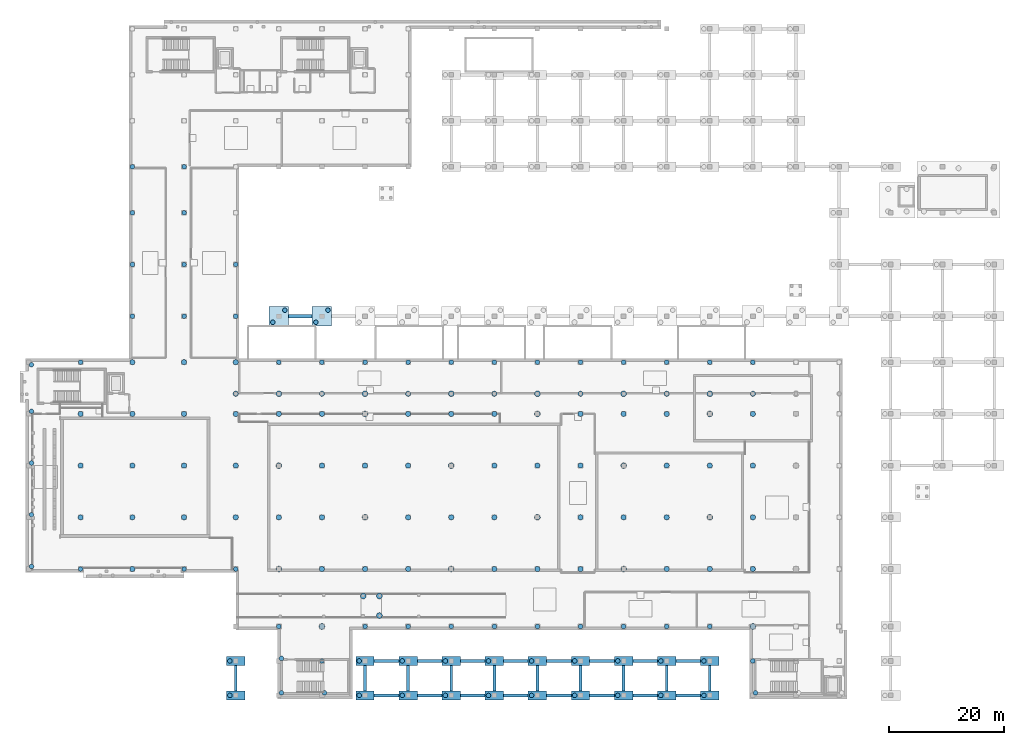
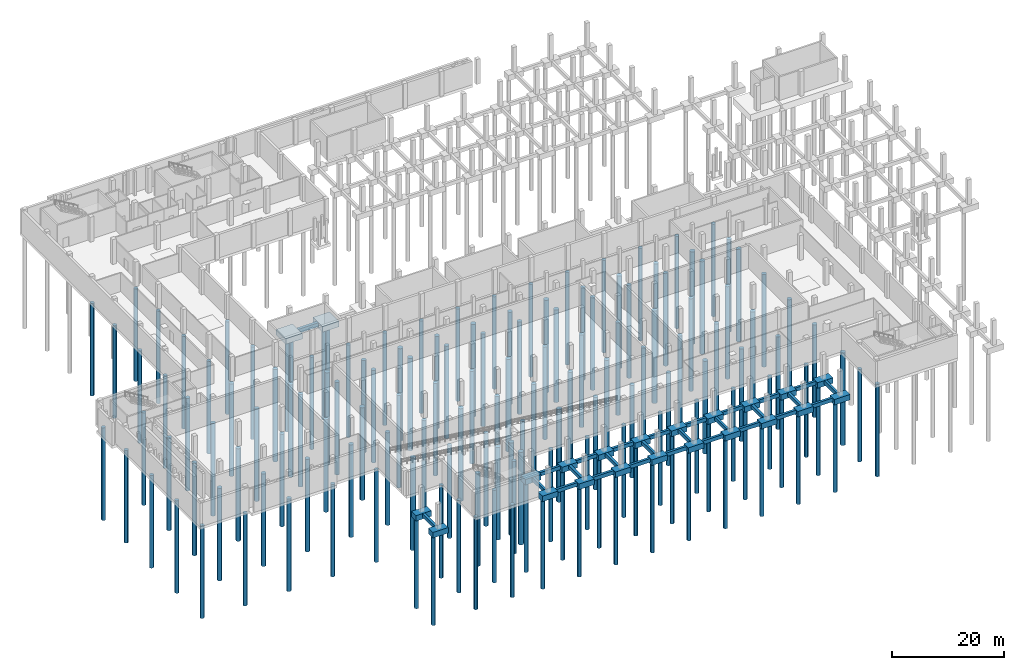
# One storey, part 1 of 19: 153 piles, 49 footings.
"""IFC4 building model written with IfcOpenShell, lengths in metres."""

from ifc_helpers import new_model, si_unit, direction, frame, origin, origin_2d, place, context, subcontext, project, spatial, rectangle, circle, extrude, material, material_profile, profile_set, type_object, element, save


model = new_model("IFC4")

# Units and contexts
model_context = context("Model", 3, precision=1e-05, world=origin(), true_north=direction((0.0, 1.0)))
body_context = subcontext(model_context, "Body", "Model", "MODEL_VIEW")
ifc_project = project(units=[si_unit("LENGTHUNIT", "METRE"), si_unit("AREAUNIT", "SQUARE_METRE"), si_unit("VOLUMEUNIT", "CUBIC_METRE"), si_unit("PLANEANGLEUNIT", "RADIAN"), si_unit("MASSUNIT", "GRAM", prefix="KILO")], contexts=[model_context])

# Site, building, storey
site_placement = place(None, origin())
site = spatial("IfcSite", under=ifc_project, at=site_placement, CompositionType="ELEMENT")
building_placement = place(site_placement, origin())
building = spatial("IfcBuilding", under=site, at=building_placement, Name="Vourika Railside Aquatics Centre", CompositionType="ELEMENT")
storey_placement = place(building_placement, frame((0.0, 0.0, -5.39990234375)))
storey = spatial("IfcBuildingStorey", under=building, at=storey_placement, Name="B1", CompositionType="ELEMENT", Elevation=-5.39990234375)

# Footings
ifc_material = material(Name="Concrete C40/50", Category="concrete")
footing_type_1 = type_object("IfcFootingType", Name="FTG-GB-500x800", PredefinedType="FOOTING_BEAM", material=ifc_material)
for number, where, z_axis, x_axis, name in (
    (1, (62.25, 0.0, -0.80029296875), (0.0, 0.0, 1.0), (1.0, 0.0, 0.0), "Ground Tie Beam GBX-001"),
    (2, (69.75, 0.0, -0.80029296875), (0.0, 0.0, 1.0), (1.0, 0.0, 0.0), "Ground Tie Beam GBX-002"),
    (3, (77.25, 0.0, -0.80029296875), (0.0, 0.0, 1.0), (1.0, 0.0, 0.0), "Ground Tie Beam GBX-003"),
    (4, (84.75, 0.0, -0.80029296875), (0.0, 0.0, 1.0), (1.0, 0.0, 0.0), "Ground Tie Beam GBX-004"),
    (5, (92.25, 0.0, -0.80029296875), (0.0, 0.0, 1.0), (1.0, 0.0, 0.0), "Ground Tie Beam GBX-005"),
    (6, (99.75, 0.0, -0.80029296875), (0.0, 0.0, 1.0), (1.0, 0.0, 0.0), "Ground Tie Beam GBX-006"),
    (7, (107.25, 0.0, -0.80029296875), (0.0, 0.0, 1.0), (1.0, 0.0, 0.0), "Ground Tie Beam GBX-007"),
    (8, (114.75, 0.0, -0.80029296875), (0.0, 0.0, 1.0), (1.0, 0.0, 0.0), "Ground Tie Beam GBX-008"),
    (9, (62.25, 6.0, -0.80029296875), (0.0, 0.0, 1.0), (1.0, 0.0, 0.0), "Ground Tie Beam GBX-009"),
    (10, (69.75, 6.0, -0.80029296875), (0.0, 0.0, 1.0), (1.0, 0.0, 0.0), "Ground Tie Beam GBX-010"),
    (11, (77.25, 6.0, -0.80029296875), (0.0, 0.0, 1.0), (1.0, 0.0, 0.0), "Ground Tie Beam GBX-011"),
    (12, (84.75, 6.0, -0.80029296875), (0.0, 0.0, 1.0), (1.0, 0.0, 0.0), "Ground Tie Beam GBX-012"),
    (13, (92.25, 6.0, -0.80029296875), (0.0, 0.0, 1.0), (1.0, 0.0, 0.0), "Ground Tie Beam GBX-013"),
    (14, (99.75, 6.0, -0.80029296875), (0.0, 0.0, 1.0), (1.0, 0.0, 0.0), "Ground Tie Beam GBX-014"),
    (15, (107.25, 6.0, -0.80029296875), (0.0, 0.0, 1.0), (1.0, 0.0, 0.0), "Ground Tie Beam GBX-015"),
    (16, (114.75, 6.0, -0.80029296875), (0.0, 0.0, 1.0), (1.0, 0.0, 0.0), "Ground Tie Beam GBX-016"),
):
    element("IfcFooting", number, at=place(storey_placement, frame(where, z_axis=z_axis, x_axis=x_axis)), inside=storey, type_object=footing_type_1, Name=name, PredefinedType="FOOTING_BEAM", context=body_context, shape_type="SweptSolid", body=[
        extrude(rectangle(XDim=4.300048828125, YDim=0.5, at=origin_2d()), origin(), (0.0, 0.0, 1.0), 0.800048828125),
    ])
for number, where, z_axis, x_axis, name in (
    (17, (36.0, 3.0, -0.80029296875), (0.0, 0.0, 1.0), (0.0, 1.0, 0.0), "Ground Tie Beam GBY-070"),
    (18, (58.5, 3.0, -0.80029296875), (0.0, 0.0, 1.0), (0.0, 1.0, 0.0), "Ground Tie Beam GBY-071"),
    (19, (66.0, 3.0, -0.80029296875), (0.0, 0.0, 1.0), (0.0, 1.0, 0.0), "Ground Tie Beam GBY-072"),
    (20, (73.5, 3.0, -0.80029296875), (0.0, 0.0, 1.0), (0.0, 1.0, 0.0), "Ground Tie Beam GBY-073"),
    (21, (81.0, 3.0, -0.80029296875), (0.0, 0.0, 1.0), (0.0, 1.0, 0.0), "Ground Tie Beam GBY-076"),
    (22, (88.5, 3.0, -0.80029296875), (0.0, 0.0, 1.0), (0.0, 1.0, 0.0), "Ground Tie Beam GBY-079"),
    (23, (96.0, 3.0, -0.80029296875), (0.0, 0.0, 1.0), (0.0, 1.0, 0.0), "Ground Tie Beam GBY-082"),
    (24, (103.5, 3.0, -0.80029296875), (0.0, 0.0, 1.0), (0.0, 1.0, 0.0), "Ground Tie Beam GBY-085"),
    (25, (111.0, 3.0, -0.80029296875), (0.0, 0.0, 1.0), (0.0, 1.0, 0.0), "Ground Tie Beam GBY-088"),
    (26, (118.5, 3.0, -0.80029296875), (0.0, 0.0, 1.0), (0.0, 1.0, 0.0), "Ground Tie Beam GBY-091"),
):
    element("IfcFooting", number, at=place(storey_placement, frame(where, z_axis=z_axis, x_axis=x_axis)), inside=storey, type_object=footing_type_1, Name=name, PredefinedType="FOOTING_BEAM", context=body_context, shape_type="SweptSolid", body=[
        extrude(rectangle(XDim=4.39990234375, YDim=0.5, at=origin_2d()), origin(), (0.0, 0.0, 1.0), 0.800048828125),
    ])
footing_type_2 = type_object("IfcFootingType", Name="FTG-GB-600x900", PredefinedType="FOOTING_BEAM", material=ifc_material)
footing_placement = place(storey_placement, frame((47.25, 66.0, -0.900146484375), z_axis=(0.0, 0.0, 1.0), x_axis=(1.0, 0.0, 0.0)))
element("IfcFooting", 27, at=footing_placement, inside=storey, type_object=footing_type_2, Name="Ground Tie Beam GBX-023", PredefinedType="FOOTING_BEAM", context=body_context, shape_type="SweptSolid", body=[
    extrude(rectangle(XDim=4.10009765625, YDim=0.60009765625, at=origin_2d()), origin(), (0.0, 0.0, 1.0), 0.89990234375),
])
footing_type_3 = type_object("IfcFootingType", Name="FTG-PC2-320x160", PredefinedType="PILE_CAP", material=ifc_material)
for number, where, z_axis, x_axis, name in (
    (28, (36.0, 0.0, -1.2001953125), (0.0, 0.0, 1.0), (1.0, 0.0, 0.0), "Pile Cap ftg:B1:cap_360_0"),
    (29, (36.0, 6.0, -1.2001953125), (0.0, 0.0, 1.0), (1.0, 0.0, 0.0), "Pile Cap ftg:B1:cap_360_60"),
    (30, (58.5, 0.0, -1.2001953125), (0.0, 0.0, 1.0), (1.0, 0.0, 0.0), "Pile Cap ftg:B1:cap_585_0"),
    (31, (58.5, 6.0, -1.2001953125), (0.0, 0.0, 1.0), (1.0, 0.0, 0.0), "Pile Cap ftg:B1:cap_585_60"),
    (32, (66.0, 0.0, -1.2001953125), (0.0, 0.0, 1.0), (1.0, 0.0, 0.0), "Pile Cap ftg:B1:cap_660_0"),
    (33, (66.0, 6.0, -1.2001953125), (0.0, 0.0, 1.0), (1.0, 0.0, 0.0), "Pile Cap ftg:B1:cap_660_60"),
    (34, (73.5, 0.0, -1.2001953125), (0.0, 0.0, 1.0), (1.0, 0.0, 0.0), "Pile Cap ftg:B1:cap_735_0"),
    (35, (73.5, 6.0, -1.2001953125), (0.0, 0.0, 1.0), (1.0, 0.0, 0.0), "Pile Cap ftg:B1:cap_735_60"),
    (36, (81.0, 0.0, -1.2001953125), (0.0, 0.0, 1.0), (1.0, 0.0, 0.0), "Pile Cap ftg:B1:cap_810_0"),
    (37, (81.0, 6.0, -1.2001953125), (0.0, 0.0, 1.0), (1.0, 0.0, 0.0), "Pile Cap ftg:B1:cap_810_60"),
    (38, (88.5, 0.0, -1.2001953125), (0.0, 0.0, 1.0), (1.0, 0.0, 0.0), "Pile Cap ftg:B1:cap_885_0"),
    (39, (88.5, 6.0, -1.2001953125), (0.0, 0.0, 1.0), (1.0, 0.0, 0.0), "Pile Cap ftg:B1:cap_885_60"),
    (40, (96.0, 0.0, -1.2001953125), (0.0, 0.0, 1.0), (1.0, 0.0, 0.0), "Pile Cap ftg:B1:cap_960_0"),
    (41, (96.0, 6.0, -1.2001953125), (0.0, 0.0, 1.0), (1.0, 0.0, 0.0), "Pile Cap ftg:B1:cap_960_60"),
    (42, (103.5, 0.0, -1.2001953125), (0.0, 0.0, 1.0), (1.0, 0.0, 0.0), "Pile Cap ftg:B1:cap_1035_0"),
    (43, (103.5, 6.0, -1.2001953125), (0.0, 0.0, 1.0), (1.0, 0.0, 0.0), "Pile Cap ftg:B1:cap_1035_60"),
    (44, (111.0, 0.0, -1.2001953125), (0.0, 0.0, 1.0), (1.0, 0.0, 0.0), "Pile Cap ftg:B1:cap_1110_0"),
    (45, (111.0, 6.0, -1.2001953125), (0.0, 0.0, 1.0), (1.0, 0.0, 0.0), "Pile Cap ftg:B1:cap_1110_60"),
    (46, (118.5, 0.0, -1.2001953125), (0.0, 0.0, 1.0), (1.0, 0.0, 0.0), "Pile Cap ftg:B1:cap_1185_0"),
    (47, (118.5, 6.0, -1.2001953125), (0.0, 0.0, 1.0), (1.0, 0.0, 0.0), "Pile Cap ftg:B1:cap_1185_60"),
):
    element("IfcFooting", number, at=place(storey_placement, frame(where, z_axis=z_axis, x_axis=x_axis)), inside=storey, type_object=footing_type_3, Name=name, PredefinedType="PILE_CAP", context=body_context, shape_type="SweptSolid", body=[
        extrude(rectangle(XDim=3.199951171875, YDim=1.60009765625, at=origin_2d()), origin(), (0.0, 0.0, 1.0), 1.199951171875),
    ])
footing_type_4 = type_object("IfcFootingType", Name="FTG-PC4-340x340", PredefinedType="PILE_CAP", material=ifc_material)
for number, where, z_axis, x_axis, name in (
    (48, (43.5, 66.0, -1.2001953125), (0.0, 0.0, 1.0), (1.0, 0.0, 0.0), "Pile Cap ftg:B1:cap_435_660"),
    (49, (51.0, 66.0, -1.2001953125), (0.0, 0.0, 1.0), (1.0, 0.0, 0.0), "Pile Cap ftg:B1:cap_510_660"),
):
    element("IfcFooting", number, at=place(storey_placement, frame(where, z_axis=z_axis, x_axis=x_axis)), inside=storey, type_object=footing_type_4, Name=name, PredefinedType="PILE_CAP", context=body_context, shape_type="SweptSolid", body=[
        extrude(rectangle(XDim=3.39990234375, YDim=3.39990234375, at=origin_2d()), origin(), (0.0, 0.0, 1.0), 1.199951171875),
    ])

# Piles
ifc_material_profile_1 = material_profile(ifc_material, circle(Radius=0.5, at=origin_2d()), Name="BP 1000")
ifc_profile_set_1 = profile_set([ifc_material_profile_1], Name="Concrete C40/50")
pile_type_1 = type_object("IfcPileType", Name="PILE-BP1000", PredefinedType="BORED", material=ifc_profile_set_1)
for number, where, z_axis, x_axis, name in (
    (50, (43.5, 22.0, -0.5), (0.0, 0.0, -1.0), (1.0, 0.0, 0.0), "Bored Pile pile:B1:R062"),
    (51, (43.5, 40.0, -0.5), (0.0, 0.0, -1.0), (1.0, 0.0, 0.0), "Bored Pile pile:B1:R064"),
    (52, (51.0, 12.0, -0.5), (0.0, 0.0, -1.0), (1.0, 0.0, 0.0), "Bored Pile pile:B1:R074"),
    (53, (58.5, 31.0, -0.5), (0.0, 0.0, -1.0), (1.0, 0.0, 0.0), "Bored Pile pile:B1:R089"),
    (54, (58.5, 49.0, -0.5), (0.0, 0.0, -1.0), (1.0, 0.0, 0.0), "Bored Pile pile:B1:R091"),
    (55, (73.5, 22.0, -0.5), (0.0, 0.0, -1.0), (1.0, 0.0, 0.0), "Bored Pile pile:B1:R114"),
    (56, (73.5, 40.0, -0.5), (0.0, 0.0, -1.0), (1.0, 0.0, 0.0), "Bored Pile pile:B1:R116"),
    (57, (88.5, 31.0, -0.5), (0.0, 0.0, -1.0), (1.0, 0.0, 0.0), "Bored Pile pile:B1:R141"),
    (58, (88.5, 49.0, -0.5), (0.0, 0.0, -1.0), (1.0, 0.0, 0.0), "Bored Pile pile:B1:R143"),
    (59, (103.5, 22.0, -0.5), (0.0, 0.0, -1.0), (1.0, 0.0, 0.0), "Bored Pile pile:B1:R166"),
    (60, (103.5, 40.0, -0.5), (0.0, 0.0, -1.0), (1.0, 0.0, 0.0), "Bored Pile pile:B1:R168"),
    (61, (118.5, 31.0, -0.5), (0.0, 0.0, -1.0), (1.0, 0.0, 0.0), "Bored Pile pile:B1:R193"),
    (62, (118.5, 49.0, -0.5), (0.0, 0.0, -1.0), (1.0, 0.0, 0.0), "Bored Pile pile:B1:R195"),
    (63, (126.0, 12.0, -0.5), (0.0, 0.0, -1.0), (1.0, 0.0, 0.0), "Bored Pile pile:B1:R205"),
    (64, (43.5, 52.5, -0.5), (0.0, 0.0, -1.0), (1.0, 0.0, 0.0), "Bored Pile pile:B1:R266"),
    (65, (58.5, 52.5, -0.5), (0.0, 0.0, -1.0), (1.0, 0.0, 0.0), "Bored Pile pile:B1:R268"),
    (66, (73.5, 52.5, -0.5), (0.0, 0.0, -1.0), (1.0, 0.0, 0.0), "Bored Pile pile:B1:R270"),
    (67, (88.5, 52.5, -0.5), (0.0, 0.0, -1.0), (1.0, 0.0, 0.0), "Bored Pile pile:B1:R272"),
    (68, (103.5, 52.5, -0.5), (0.0, 0.0, -1.0), (1.0, 0.0, 0.0), "Bored Pile pile:B1:R274"),
    (69, (118.5, 52.5, -0.5), (0.0, 0.0, -1.0), (1.0, 0.0, 0.0), "Bored Pile pile:B1:R276"),
    (70, (58.199951171875, 17.300048828125, -0.5), (0.0, 0.0, -1.0), (1.0, 0.0, 0.0), "Bored Pile pile:B1:R280"),
    (71, (61.0, 13.89990234375, -0.5), (0.0, 0.0, -1.0), (1.0, 0.0, 0.0), "Bored Pile pile:B1:R281"),
    (72, (61.0, 17.300048828125, -0.5), (0.0, 0.0, -1.0), (1.0, 0.0, 0.0), "Bored Pile pile:B1:R282"),
):
    element("IfcPile", number, at=place(storey_placement, frame(where, z_axis=z_axis, x_axis=x_axis)), inside=storey, type_object=pile_type_1, Name=name, PredefinedType="BORED", context=body_context, shape_type="SweptSolid", body=[
        extrude(circle(Radius=0.5, at=origin_2d()), origin(), (0.0, 0.0, 1.0), 20.10009765625),
    ])
ifc_material_profile_2 = material_profile(ifc_material, circle(Radius=0.39990234375, at=origin_2d()), Name="BP 800")
ifc_profile_set_2 = profile_set([ifc_material_profile_2], Name="Concrete C40/50")
pile_type_2 = type_object("IfcPileType", Name="PILE-BP800", PredefinedType="BORED", material=ifc_profile_set_2)
for number, where, z_axis, x_axis, name in (
    (73, (0.449951171875, 22.449951171875, -0.5), (0.0, 0.0, -1.0), (1.0, 0.0, 0.0), "Bored Pile pile:B1:E011"),
    (74, (0.449951171875, 31.449951171875, -0.5), (0.0, 0.0, -1.0), (1.0, 0.0, 0.0), "Bored Pile pile:B1:E012"),
    (75, (0.449951171875, 40.449951171875, -0.5), (0.0, 0.0, -1.0), (1.0, 0.0, 0.0), "Bored Pile pile:B1:E013"),
    (76, (0.449951171875, 49.449951171875, -0.5), (0.0, 0.0, -1.0), (1.0, 0.0, 0.0), "Bored Pile pile:B1:E014"),
    (77, (0.449951171875, 57.550048828125, -0.5), (0.0, 0.0, -1.0), (1.0, 0.0, 0.0), "Bored Pile pile:B1:E015"),
    (78, (9.0, 22.0, -0.5), (0.0, 0.0, -1.0), (1.0, 0.0, 0.0), "Bored Pile pile:B1:E016"),
    (79, (9.0, 58.0, -0.5), (0.0, 0.0, -1.0), (1.0, 0.0, 0.0), "Bored Pile pile:B1:E020"),
    (80, (18.0, 66.0, -0.5), (0.0, 0.0, -1.0), (1.0, 0.0, 0.0), "Bored Pile pile:B1:E026"),
    (81, (18.0, 75.0, -0.5), (0.0, 0.0, -1.0), (1.0, 0.0, 0.0), "Bored Pile pile:B1:E027"),
    (82, (18.0, 84.0, -0.5), (0.0, 0.0, -1.0), (1.0, 0.0, 0.0), "Bored Pile pile:B1:E028"),
    (83, (18.0, 92.0, -0.5), (0.0, 0.0, -1.0), (1.0, 0.0, 0.0), "Bored Pile pile:B1:E029"),
    (84, (27.0, 22.0, -0.5), (0.0, 0.0, -1.0), (1.0, 0.0, 0.0), "Bored Pile pile:B1:E033"),
    (85, (27.0, 66.0, -0.5), (0.0, 0.0, -1.0), (1.0, 0.0, 0.0), "Bored Pile pile:B1:R038"),
    (86, (27.0, 75.0, -0.5), (0.0, 0.0, -1.0), (1.0, 0.0, 0.0), "Bored Pile pile:B1:R039"),
    (87, (27.0, 84.0, -0.5), (0.0, 0.0, -1.0), (1.0, 0.0, 0.0), "Bored Pile pile:B1:R040"),
    (88, (27.0, 92.0, -0.5), (0.0, 0.0, -1.0), (1.0, 0.0, 0.0), "Bored Pile pile:B1:R041"),
):
    element("IfcPile", number, at=place(storey_placement, frame(where, z_axis=z_axis, x_axis=x_axis)), inside=storey, type_object=pile_type_2, Name=name, PredefinedType="BORED", context=body_context, shape_type="SweptSolid", body=[
        extrude(circle(Radius=0.39990234375, at=origin_2d()), origin(), (0.0, 0.0, 1.0), 20.10009765625),
    ])
for number, where, z_axis, x_axis, name in (
    (89, (34.97998046875, 0.0, -1.10009765625), (0.0, 0.0, -1.0), (1.0, 0.0, 0.0), "Bored Pile pile:B1:C045"),
    (90, (34.97998046875, 6.0, -1.10009765625), (0.0, 0.0, -1.0), (1.0, 0.0, 0.0), "Bored Pile pile:B1:C046"),
):
    element("IfcPile", number, at=place(storey_placement, frame(where, z_axis=z_axis, x_axis=x_axis)), inside=storey, type_object=pile_type_2, Name=name, PredefinedType="BORED", context=body_context, shape_type="SweptSolid", body=[
        extrude(circle(Radius=0.39990234375, at=origin_2d()), origin(), (0.0, 0.0, 1.0), 19.5),
    ])
for number, where, z_axis, x_axis, name in (
    (91, (36.0, 22.0, -0.5), (0.0, 0.0, -1.0), (1.0, 0.0, 0.0), "Bored Pile pile:B1:E047"),
    (92, (36.0, 66.0, -0.5), (0.0, 0.0, -1.0), (1.0, 0.0, 0.0), "Bored Pile pile:B1:E052"),
    (93, (36.0, 75.0, -0.5), (0.0, 0.0, -1.0), (1.0, 0.0, 0.0), "Bored Pile pile:B1:E053"),
    (94, (43.949951171875, 0.449951171875, -0.5), (0.0, 0.0, -1.0), (1.0, 0.0, 0.0), "Bored Pile pile:B1:E059"),
    (95, (43.949951171875, 6.449951171875, -0.5), (0.0, 0.0, -1.0), (1.0, 0.0, 0.0), "Bored Pile pile:B1:E060"),
    (96, (43.5, 12.0, -0.5), (0.0, 0.0, -1.0), (1.0, 0.0, 0.0), "Bored Pile pile:B1:E061"),
    (97, (43.5, 58.0, -0.5), (0.0, 0.0, -1.0), (1.0, 0.0, 0.0), "Bored Pile pile:B1:E066"),
):
    element("IfcPile", number, at=place(storey_placement, frame(where, z_axis=z_axis, x_axis=x_axis)), inside=storey, type_object=pile_type_2, Name=name, PredefinedType="BORED", context=body_context, shape_type="SweptSolid", body=[
        extrude(circle(Radius=0.39990234375, at=origin_2d()), origin(), (0.0, 0.0, 1.0), 20.10009765625),
    ])
for number, where, z_axis, x_axis, name in (
    (98, (42.449951171875, 64.949951171875, -1.10009765625), (0.0, 0.0, -1.0), (1.0, 0.0, 0.0), "Bored Pile pile:B1:C067"),
    (99, (44.550048828125, 67.050048828125, -1.10009765625), (0.0, 0.0, -1.0), (1.0, 0.0, 0.0), "Bored Pile pile:B1:C068"),
):
    element("IfcPile", number, at=place(storey_placement, frame(where, z_axis=z_axis, x_axis=x_axis)), inside=storey, type_object=pile_type_2, Name=name, PredefinedType="BORED", context=body_context, shape_type="SweptSolid", body=[
        extrude(circle(Radius=0.39990234375, at=origin_2d()), origin(), (0.0, 0.0, 1.0), 19.5),
    ])
for number, where, z_axis, x_axis, name in (
    (100, (51.449951171875, 0.449951171875, -0.5), (0.0, 0.0, -1.0), (1.0, 0.0, 0.0), "Bored Pile pile:B1:E072"),
    (101, (51.0, 6.0, -0.5), (0.0, 0.0, -1.0), (1.0, 0.0, 0.0), "Bored Pile pile:B1:R073"),
    (102, (51.0, 58.0, -0.5), (0.0, 0.0, -1.0), (1.0, 0.0, 0.0), "Bored Pile pile:B1:E079"),
):
    element("IfcPile", number, at=place(storey_placement, frame(where, z_axis=z_axis, x_axis=x_axis)), inside=storey, type_object=pile_type_2, Name=name, PredefinedType="BORED", context=body_context, shape_type="SweptSolid", body=[
        extrude(circle(Radius=0.39990234375, at=origin_2d()), origin(), (0.0, 0.0, 1.0), 20.10009765625),
    ])
for number, where, z_axis, x_axis, name in (
    (103, (49.949951171875, 64.949951171875, -1.10009765625), (0.0, 0.0, -1.0), (1.0, 0.0, 0.0), "Bored Pile pile:B1:C080"),
    (104, (52.050048828125, 67.050048828125, -1.10009765625), (0.0, 0.0, -1.0), (1.0, 0.0, 0.0), "Bored Pile pile:B1:C081"),
    (105, (57.47998046875, 0.0, -1.10009765625), (0.0, 0.0, -1.0), (1.0, 0.0, 0.0), "Bored Pile pile:B1:C085"),
    (106, (57.47998046875, 6.0, -1.10009765625), (0.0, 0.0, -1.0), (1.0, 0.0, 0.0), "Bored Pile pile:B1:C086"),
):
    element("IfcPile", number, at=place(storey_placement, frame(where, z_axis=z_axis, x_axis=x_axis)), inside=storey, type_object=pile_type_2, Name=name, PredefinedType="BORED", context=body_context, shape_type="SweptSolid", body=[
        extrude(circle(Radius=0.39990234375, at=origin_2d()), origin(), (0.0, 0.0, 1.0), 19.5),
    ])
for number, where, z_axis, x_axis, name in (
    (107, (58.5, 12.0, -0.5), (0.0, 0.0, -1.0), (1.0, 0.0, 0.0), "Bored Pile pile:B1:E087"),
    (108, (58.5, 58.0, -0.5), (0.0, 0.0, -1.0), (1.0, 0.0, 0.0), "Bored Pile pile:B1:E092"),
):
    element("IfcPile", number, at=place(storey_placement, frame(where, z_axis=z_axis, x_axis=x_axis)), inside=storey, type_object=pile_type_2, Name=name, PredefinedType="BORED", context=body_context, shape_type="SweptSolid", body=[
        extrude(circle(Radius=0.39990234375, at=origin_2d()), origin(), (0.0, 0.0, 1.0), 20.10009765625),
    ])
for number, where, z_axis, x_axis, name in (
    (109, (64.97998046875, 0.0, -1.10009765625), (0.0, 0.0, -1.0), (1.0, 0.0, 0.0), "Bored Pile pile:B1:C098"),
    (110, (64.97998046875, 6.0, -1.10009765625), (0.0, 0.0, -1.0), (1.0, 0.0, 0.0), "Bored Pile pile:B1:C099"),
):
    element("IfcPile", number, at=place(storey_placement, frame(where, z_axis=z_axis, x_axis=x_axis)), inside=storey, type_object=pile_type_2, Name=name, PredefinedType="BORED", context=body_context, shape_type="SweptSolid", body=[
        extrude(circle(Radius=0.39990234375, at=origin_2d()), origin(), (0.0, 0.0, 1.0), 19.5),
    ])
for number, where, z_axis, x_axis, name in (
    (111, (66.0, 12.0, -0.5), (0.0, 0.0, -1.0), (1.0, 0.0, 0.0), "Bored Pile pile:B1:E100"),
    (112, (66.0, 58.0, -0.5), (0.0, 0.0, -1.0), (1.0, 0.0, 0.0), "Bored Pile pile:B1:E105"),
):
    element("IfcPile", number, at=place(storey_placement, frame(where, z_axis=z_axis, x_axis=x_axis)), inside=storey, type_object=pile_type_2, Name=name, PredefinedType="BORED", context=body_context, shape_type="SweptSolid", body=[
        extrude(circle(Radius=0.39990234375, at=origin_2d()), origin(), (0.0, 0.0, 1.0), 20.10009765625),
    ])
for number, where, z_axis, x_axis, name in (
    (113, (72.47998046875, 0.0, -1.10009765625), (0.0, 0.0, -1.0), (1.0, 0.0, 0.0), "Bored Pile pile:B1:C111"),
    (114, (72.47998046875, 6.0, -1.10009765625), (0.0, 0.0, -1.0), (1.0, 0.0, 0.0), "Bored Pile pile:B1:C112"),
):
    element("IfcPile", number, at=place(storey_placement, frame(where, z_axis=z_axis, x_axis=x_axis)), inside=storey, type_object=pile_type_2, Name=name, PredefinedType="BORED", context=body_context, shape_type="SweptSolid", body=[
        extrude(circle(Radius=0.39990234375, at=origin_2d()), origin(), (0.0, 0.0, 1.0), 19.5),
    ])
for number, where, z_axis, x_axis, name in (
    (115, (73.5, 12.0, -0.5), (0.0, 0.0, -1.0), (1.0, 0.0, 0.0), "Bored Pile pile:B1:E113"),
    (116, (73.5, 58.0, -0.5), (0.0, 0.0, -1.0), (1.0, 0.0, 0.0), "Bored Pile pile:B1:E118"),
):
    element("IfcPile", number, at=place(storey_placement, frame(where, z_axis=z_axis, x_axis=x_axis)), inside=storey, type_object=pile_type_2, Name=name, PredefinedType="BORED", context=body_context, shape_type="SweptSolid", body=[
        extrude(circle(Radius=0.39990234375, at=origin_2d()), origin(), (0.0, 0.0, 1.0), 20.10009765625),
    ])
for number, where, z_axis, x_axis, name in (
    (117, (79.97998046875, 0.0, -1.10009765625), (0.0, 0.0, -1.0), (1.0, 0.0, 0.0), "Bored Pile pile:B1:C124"),
    (118, (79.97998046875, 6.0, -1.10009765625), (0.0, 0.0, -1.0), (1.0, 0.0, 0.0), "Bored Pile pile:B1:C125"),
):
    element("IfcPile", number, at=place(storey_placement, frame(where, z_axis=z_axis, x_axis=x_axis)), inside=storey, type_object=pile_type_2, Name=name, PredefinedType="BORED", context=body_context, shape_type="SweptSolid", body=[
        extrude(circle(Radius=0.39990234375, at=origin_2d()), origin(), (0.0, 0.0, 1.0), 19.5),
    ])
for number, where, z_axis, x_axis, name in (
    (119, (81.0, 12.0, -0.5), (0.0, 0.0, -1.0), (1.0, 0.0, 0.0), "Bored Pile pile:B1:E126"),
    (120, (81.0, 58.0, -0.5), (0.0, 0.0, -1.0), (1.0, 0.0, 0.0), "Bored Pile pile:B1:E131"),
):
    element("IfcPile", number, at=place(storey_placement, frame(where, z_axis=z_axis, x_axis=x_axis)), inside=storey, type_object=pile_type_2, Name=name, PredefinedType="BORED", context=body_context, shape_type="SweptSolid", body=[
        extrude(circle(Radius=0.39990234375, at=origin_2d()), origin(), (0.0, 0.0, 1.0), 20.10009765625),
    ])
for number, where, z_axis, x_axis, name in (
    (121, (87.47998046875, 0.0, -1.10009765625), (0.0, 0.0, -1.0), (1.0, 0.0, 0.0), "Bored Pile pile:B1:C137"),
    (122, (87.47998046875, 6.0, -1.10009765625), (0.0, 0.0, -1.0), (1.0, 0.0, 0.0), "Bored Pile pile:B1:C138"),
):
    element("IfcPile", number, at=place(storey_placement, frame(where, z_axis=z_axis, x_axis=x_axis)), inside=storey, type_object=pile_type_2, Name=name, PredefinedType="BORED", context=body_context, shape_type="SweptSolid", body=[
        extrude(circle(Radius=0.39990234375, at=origin_2d()), origin(), (0.0, 0.0, 1.0), 19.5),
    ])
for number, where, z_axis, x_axis, name in (
    (123, (88.5, 12.0, -0.5), (0.0, 0.0, -1.0), (1.0, 0.0, 0.0), "Bored Pile pile:B1:E139"),
    (124, (88.5, 58.0, -0.5), (0.0, 0.0, -1.0), (1.0, 0.0, 0.0), "Bored Pile pile:B1:E144"),
):
    element("IfcPile", number, at=place(storey_placement, frame(where, z_axis=z_axis, x_axis=x_axis)), inside=storey, type_object=pile_type_2, Name=name, PredefinedType="BORED", context=body_context, shape_type="SweptSolid", body=[
        extrude(circle(Radius=0.39990234375, at=origin_2d()), origin(), (0.0, 0.0, 1.0), 20.10009765625),
    ])
for number, where, z_axis, x_axis, name in (
    (125, (94.97998046875, 0.0, -1.10009765625), (0.0, 0.0, -1.0), (1.0, 0.0, 0.0), "Bored Pile pile:B1:C150"),
    (126, (94.97998046875, 6.0, -1.10009765625), (0.0, 0.0, -1.0), (1.0, 0.0, 0.0), "Bored Pile pile:B1:C151"),
):
    element("IfcPile", number, at=place(storey_placement, frame(where, z_axis=z_axis, x_axis=x_axis)), inside=storey, type_object=pile_type_2, Name=name, PredefinedType="BORED", context=body_context, shape_type="SweptSolid", body=[
        extrude(circle(Radius=0.39990234375, at=origin_2d()), origin(), (0.0, 0.0, 1.0), 19.5),
    ])
for number, where, z_axis, x_axis, name in (
    (127, (96.0, 12.0, -0.5), (0.0, 0.0, -1.0), (1.0, 0.0, 0.0), "Bored Pile pile:B1:E152"),
    (128, (96.0, 58.0, -0.5), (0.0, 0.0, -1.0), (1.0, 0.0, 0.0), "Bored Pile pile:B1:E157"),
):
    element("IfcPile", number, at=place(storey_placement, frame(where, z_axis=z_axis, x_axis=x_axis)), inside=storey, type_object=pile_type_2, Name=name, PredefinedType="BORED", context=body_context, shape_type="SweptSolid", body=[
        extrude(circle(Radius=0.39990234375, at=origin_2d()), origin(), (0.0, 0.0, 1.0), 20.10009765625),
    ])
for number, where, z_axis, x_axis, name in (
    (129, (102.47998046875, 0.0, -1.10009765625), (0.0, 0.0, -1.0), (1.0, 0.0, 0.0), "Bored Pile pile:B1:C163"),
    (130, (102.47998046875, 6.0, -1.10009765625), (0.0, 0.0, -1.0), (1.0, 0.0, 0.0), "Bored Pile pile:B1:C164"),
):
    element("IfcPile", number, at=place(storey_placement, frame(where, z_axis=z_axis, x_axis=x_axis)), inside=storey, type_object=pile_type_2, Name=name, PredefinedType="BORED", context=body_context, shape_type="SweptSolid", body=[
        extrude(circle(Radius=0.39990234375, at=origin_2d()), origin(), (0.0, 0.0, 1.0), 19.5),
    ])
for number, where, z_axis, x_axis, name in (
    (131, (103.5, 12.0, -0.5), (0.0, 0.0, -1.0), (1.0, 0.0, 0.0), "Bored Pile pile:B1:E165"),
    (132, (103.5, 58.0, -0.5), (0.0, 0.0, -1.0), (1.0, 0.0, 0.0), "Bored Pile pile:B1:E170"),
):
    element("IfcPile", number, at=place(storey_placement, frame(where, z_axis=z_axis, x_axis=x_axis)), inside=storey, type_object=pile_type_2, Name=name, PredefinedType="BORED", context=body_context, shape_type="SweptSolid", body=[
        extrude(circle(Radius=0.39990234375, at=origin_2d()), origin(), (0.0, 0.0, 1.0), 20.10009765625),
    ])
for number, where, z_axis, x_axis, name in (
    (133, (109.97998046875, 0.0, -1.10009765625), (0.0, 0.0, -1.0), (1.0, 0.0, 0.0), "Bored Pile pile:B1:C176"),
    (134, (109.97998046875, 6.0, -1.10009765625), (0.0, 0.0, -1.0), (1.0, 0.0, 0.0), "Bored Pile pile:B1:C177"),
):
    element("IfcPile", number, at=place(storey_placement, frame(where, z_axis=z_axis, x_axis=x_axis)), inside=storey, type_object=pile_type_2, Name=name, PredefinedType="BORED", context=body_context, shape_type="SweptSolid", body=[
        extrude(circle(Radius=0.39990234375, at=origin_2d()), origin(), (0.0, 0.0, 1.0), 19.5),
    ])
for number, where, z_axis, x_axis, name in (
    (135, (111.0, 12.0, -0.5), (0.0, 0.0, -1.0), (1.0, 0.0, 0.0), "Bored Pile pile:B1:E178"),
    (136, (111.0, 58.0, -0.5), (0.0, 0.0, -1.0), (1.0, 0.0, 0.0), "Bored Pile pile:B1:E183"),
):
    element("IfcPile", number, at=place(storey_placement, frame(where, z_axis=z_axis, x_axis=x_axis)), inside=storey, type_object=pile_type_2, Name=name, PredefinedType="BORED", context=body_context, shape_type="SweptSolid", body=[
        extrude(circle(Radius=0.39990234375, at=origin_2d()), origin(), (0.0, 0.0, 1.0), 20.10009765625),
    ])
for number, where, z_axis, x_axis, name in (
    (137, (117.47998046875, 0.0, -1.10009765625), (0.0, 0.0, -1.0), (1.0, 0.0, 0.0), "Bored Pile pile:B1:C189"),
    (138, (117.47998046875, 6.0, -1.10009765625), (0.0, 0.0, -1.0), (1.0, 0.0, 0.0), "Bored Pile pile:B1:C190"),
):
    element("IfcPile", number, at=place(storey_placement, frame(where, z_axis=z_axis, x_axis=x_axis)), inside=storey, type_object=pile_type_2, Name=name, PredefinedType="BORED", context=body_context, shape_type="SweptSolid", body=[
        extrude(circle(Radius=0.39990234375, at=origin_2d()), origin(), (0.0, 0.0, 1.0), 19.5),
    ])
for number, where, z_axis, x_axis, name in (
    (139, (118.5, 12.0, -0.5), (0.0, 0.0, -1.0), (1.0, 0.0, 0.0), "Bored Pile pile:B1:E191"),
    (140, (118.5, 58.0, -0.5), (0.0, 0.0, -1.0), (1.0, 0.0, 0.0), "Bored Pile pile:B1:E196"),
    (141, (126.449951171875, 0.449951171875, -0.5), (0.0, 0.0, -1.0), (1.0, 0.0, 0.0), "Bored Pile pile:B1:E203"),
    (142, (126.0, 6.0, -0.5), (0.0, 0.0, -1.0), (1.0, 0.0, 0.0), "Bored Pile pile:B1:E204"),
    (143, (126.0, 58.0, -0.5), (0.0, 0.0, -1.0), (1.0, 0.0, 0.0), "Bored Pile pile:B1:E210"),
):
    element("IfcPile", number, at=place(storey_placement, frame(where, z_axis=z_axis, x_axis=x_axis)), inside=storey, type_object=pile_type_2, Name=name, PredefinedType="BORED", context=body_context, shape_type="SweptSolid", body=[
        extrude(circle(Radius=0.39990234375, at=origin_2d()), origin(), (0.0, 0.0, 1.0), 20.10009765625),
    ])
ifc_material_profile_3 = material_profile(ifc_material, circle(Radius=0.449951171875, at=origin_2d()), Name="BP 900")
ifc_profile_set_3 = profile_set([ifc_material_profile_3], Name="Concrete C40/50")
pile_type_3 = type_object("IfcPileType", Name="PILE-BP900", PredefinedType="BORED", material=ifc_profile_set_3)
for number, where, z_axis, x_axis, name in (
    (144, (9.0, 31.0, -0.5), (0.0, 0.0, -1.0), (1.0, 0.0, 0.0), "Bored Pile pile:B1:R017"),
    (145, (9.0, 40.0, -0.5), (0.0, 0.0, -1.0), (1.0, 0.0, 0.0), "Bored Pile pile:B1:R018"),
    (146, (9.0, 49.0, -0.5), (0.0, 0.0, -1.0), (1.0, 0.0, 0.0), "Bored Pile pile:B1:R019"),
    (147, (18.0, 22.0, -0.5), (0.0, 0.0, -1.0), (1.0, 0.0, 0.0), "Bored Pile pile:B1:R021"),
    (148, (18.0, 31.0, -0.5), (0.0, 0.0, -1.0), (1.0, 0.0, 0.0), "Bored Pile pile:B1:R022"),
    (149, (18.0, 40.0, -0.5), (0.0, 0.0, -1.0), (1.0, 0.0, 0.0), "Bored Pile pile:B1:R023"),
    (150, (18.0, 49.0, -0.5), (0.0, 0.0, -1.0), (1.0, 0.0, 0.0), "Bored Pile pile:B1:R024"),
    (151, (18.0, 58.0, -0.5), (0.0, 0.0, -1.0), (1.0, 0.0, 0.0), "Bored Pile pile:B1:R025"),
    (152, (27.0, 31.0, -0.5), (0.0, 0.0, -1.0), (1.0, 0.0, 0.0), "Bored Pile pile:B1:R034"),
    (153, (27.0, 40.0, -0.5), (0.0, 0.0, -1.0), (1.0, 0.0, 0.0), "Bored Pile pile:B1:R035"),
    (154, (27.0, 49.0, -0.5), (0.0, 0.0, -1.0), (1.0, 0.0, 0.0), "Bored Pile pile:B1:R036"),
    (155, (27.0, 58.0, -0.5), (0.0, 0.0, -1.0), (1.0, 0.0, 0.0), "Bored Pile pile:B1:R037"),
    (156, (36.0, 31.0, -0.5), (0.0, 0.0, -1.0), (1.0, 0.0, 0.0), "Bored Pile pile:B1:R048"),
    (157, (36.0, 40.0, -0.5), (0.0, 0.0, -1.0), (1.0, 0.0, 0.0), "Bored Pile pile:B1:R049"),
    (158, (36.0, 49.0, -0.5), (0.0, 0.0, -1.0), (1.0, 0.0, 0.0), "Bored Pile pile:B1:R050"),
    (159, (36.0, 58.0, -0.5), (0.0, 0.0, -1.0), (1.0, 0.0, 0.0), "Bored Pile pile:B1:R051"),
    (160, (43.5, 31.0, -0.5), (0.0, 0.0, -1.0), (1.0, 0.0, 0.0), "Bored Pile pile:B1:R063"),
    (161, (43.5, 49.0, -0.5), (0.0, 0.0, -1.0), (1.0, 0.0, 0.0), "Bored Pile pile:B1:R065"),
    (162, (51.0, 22.0, -0.5), (0.0, 0.0, -1.0), (1.0, 0.0, 0.0), "Bored Pile pile:B1:R075"),
    (163, (51.0, 31.0, -0.5), (0.0, 0.0, -1.0), (1.0, 0.0, 0.0), "Bored Pile pile:B1:R076"),
    (164, (51.0, 40.0, -0.5), (0.0, 0.0, -1.0), (1.0, 0.0, 0.0), "Bored Pile pile:B1:R077"),
    (165, (51.0, 49.0, -0.5), (0.0, 0.0, -1.0), (1.0, 0.0, 0.0), "Bored Pile pile:B1:R078"),
    (166, (58.5, 22.0, -0.5), (0.0, 0.0, -1.0), (1.0, 0.0, 0.0), "Bored Pile pile:B1:R088"),
    (167, (58.5, 40.0, -0.5), (0.0, 0.0, -1.0), (1.0, 0.0, 0.0), "Bored Pile pile:B1:R090"),
    (168, (66.0, 22.0, -0.5), (0.0, 0.0, -1.0), (1.0, 0.0, 0.0), "Bored Pile pile:B1:R101"),
    (169, (66.0, 31.0, -0.5), (0.0, 0.0, -1.0), (1.0, 0.0, 0.0), "Bored Pile pile:B1:R102"),
    (170, (66.0, 40.0, -0.5), (0.0, 0.0, -1.0), (1.0, 0.0, 0.0), "Bored Pile pile:B1:R103"),
    (171, (66.0, 49.0, -0.5), (0.0, 0.0, -1.0), (1.0, 0.0, 0.0), "Bored Pile pile:B1:R104"),
    (172, (73.5, 31.0, -0.5), (0.0, 0.0, -1.0), (1.0, 0.0, 0.0), "Bored Pile pile:B1:R115"),
    (173, (73.5, 49.0, -0.5), (0.0, 0.0, -1.0), (1.0, 0.0, 0.0), "Bored Pile pile:B1:R117"),
    (174, (81.0, 22.0, -0.5), (0.0, 0.0, -1.0), (1.0, 0.0, 0.0), "Bored Pile pile:B1:R127"),
    (175, (81.0, 31.0, -0.5), (0.0, 0.0, -1.0), (1.0, 0.0, 0.0), "Bored Pile pile:B1:R128"),
    (176, (81.0, 40.0, -0.5), (0.0, 0.0, -1.0), (1.0, 0.0, 0.0), "Bored Pile pile:B1:R129"),
    (177, (81.0, 49.0, -0.5), (0.0, 0.0, -1.0), (1.0, 0.0, 0.0), "Bored Pile pile:B1:R130"),
    (178, (88.5, 22.0, -0.5), (0.0, 0.0, -1.0), (1.0, 0.0, 0.0), "Bored Pile pile:B1:R140"),
    (179, (88.5, 40.0, -0.5), (0.0, 0.0, -1.0), (1.0, 0.0, 0.0), "Bored Pile pile:B1:R142"),
    (180, (96.0, 22.0, -0.5), (0.0, 0.0, -1.0), (1.0, 0.0, 0.0), "Bored Pile pile:B1:R153"),
    (181, (96.0, 31.0, -0.5), (0.0, 0.0, -1.0), (1.0, 0.0, 0.0), "Bored Pile pile:B1:R154"),
    (182, (96.0, 40.0, -0.5), (0.0, 0.0, -1.0), (1.0, 0.0, 0.0), "Bored Pile pile:B1:R155"),
    (183, (96.0, 49.0, -0.5), (0.0, 0.0, -1.0), (1.0, 0.0, 0.0), "Bored Pile pile:B1:R156"),
    (184, (103.5, 31.0, -0.5), (0.0, 0.0, -1.0), (1.0, 0.0, 0.0), "Bored Pile pile:B1:R167"),
    (185, (103.5, 49.0, -0.5), (0.0, 0.0, -1.0), (1.0, 0.0, 0.0), "Bored Pile pile:B1:R169"),
    (186, (111.0, 22.0, -0.5), (0.0, 0.0, -1.0), (1.0, 0.0, 0.0), "Bored Pile pile:B1:R179"),
    (187, (111.0, 31.0, -0.5), (0.0, 0.0, -1.0), (1.0, 0.0, 0.0), "Bored Pile pile:B1:R180"),
    (188, (111.0, 40.0, -0.5), (0.0, 0.0, -1.0), (1.0, 0.0, 0.0), "Bored Pile pile:B1:R181"),
    (189, (111.0, 49.0, -0.5), (0.0, 0.0, -1.0), (1.0, 0.0, 0.0), "Bored Pile pile:B1:R182"),
    (190, (118.5, 22.0, -0.5), (0.0, 0.0, -1.0), (1.0, 0.0, 0.0), "Bored Pile pile:B1:R192"),
    (191, (118.5, 40.0, -0.5), (0.0, 0.0, -1.0), (1.0, 0.0, 0.0), "Bored Pile pile:B1:R194"),
    (192, (126.0, 22.0, -0.5), (0.0, 0.0, -1.0), (1.0, 0.0, 0.0), "Bored Pile pile:B1:R206"),
    (193, (126.0, 31.0, -0.5), (0.0, 0.0, -1.0), (1.0, 0.0, 0.0), "Bored Pile pile:B1:R207"),
    (194, (126.0, 40.0, -0.5), (0.0, 0.0, -1.0), (1.0, 0.0, 0.0), "Bored Pile pile:B1:R208"),
    (195, (126.0, 49.0, -0.5), (0.0, 0.0, -1.0), (1.0, 0.0, 0.0), "Bored Pile pile:B1:R209"),
    (196, (36.0, 52.5, -0.5), (0.0, 0.0, -1.0), (1.0, 0.0, 0.0), "Bored Pile pile:B1:R265"),
    (197, (51.0, 52.5, -0.5), (0.0, 0.0, -1.0), (1.0, 0.0, 0.0), "Bored Pile pile:B1:R267"),
    (198, (66.0, 52.5, -0.5), (0.0, 0.0, -1.0), (1.0, 0.0, 0.0), "Bored Pile pile:B1:R269"),
    (199, (81.0, 52.5, -0.5), (0.0, 0.0, -1.0), (1.0, 0.0, 0.0), "Bored Pile pile:B1:R271"),
    (200, (96.0, 52.5, -0.5), (0.0, 0.0, -1.0), (1.0, 0.0, 0.0), "Bored Pile pile:B1:R273"),
    (201, (111.0, 52.5, -0.5), (0.0, 0.0, -1.0), (1.0, 0.0, 0.0), "Bored Pile pile:B1:R275"),
    (202, (126.0, 52.5, -0.5), (0.0, 0.0, -1.0), (1.0, 0.0, 0.0), "Bored Pile pile:B1:R277"),
):
    element("IfcPile", number, at=place(storey_placement, frame(where, z_axis=z_axis, x_axis=x_axis)), inside=storey, type_object=pile_type_3, Name=name, PredefinedType="BORED", context=body_context, shape_type="SweptSolid", body=[
        extrude(circle(Radius=0.449951171875, at=origin_2d()), origin(), (0.0, 0.0, 1.0), 20.10009765625),
    ])

save(model, "model.ifc")
